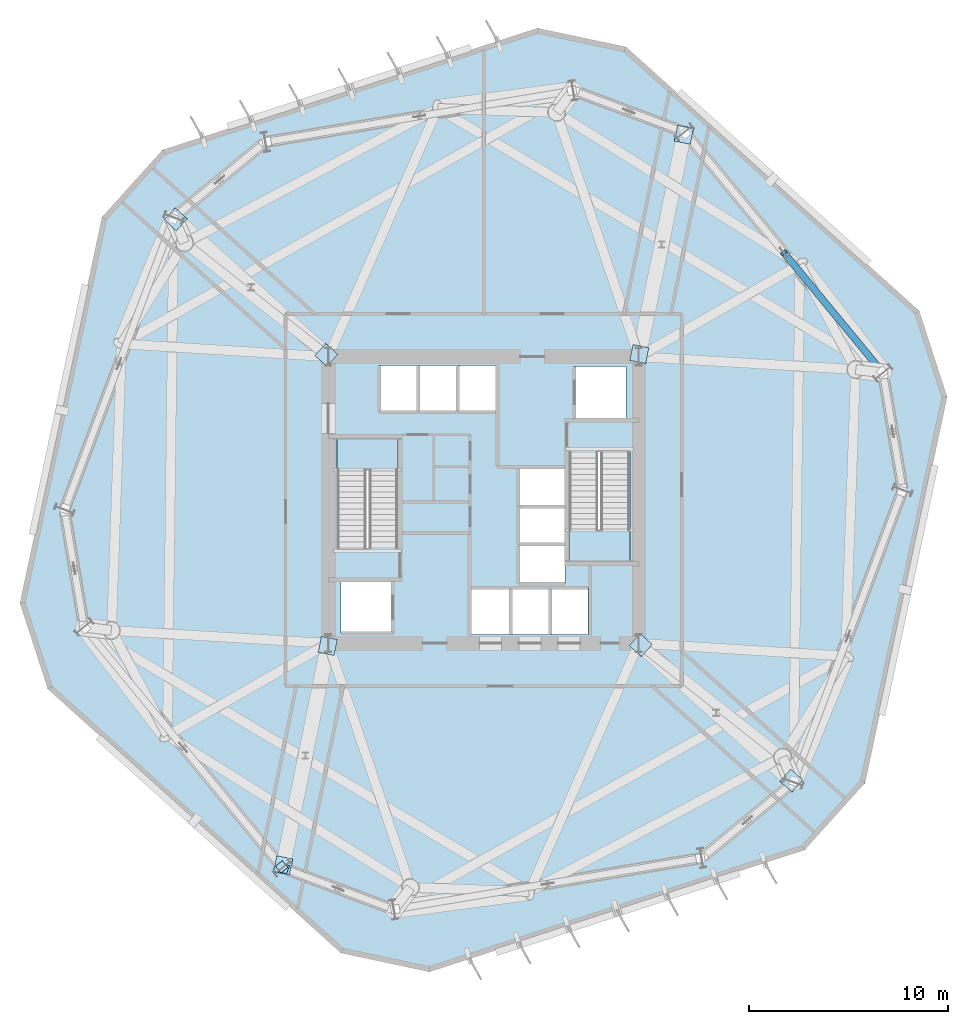
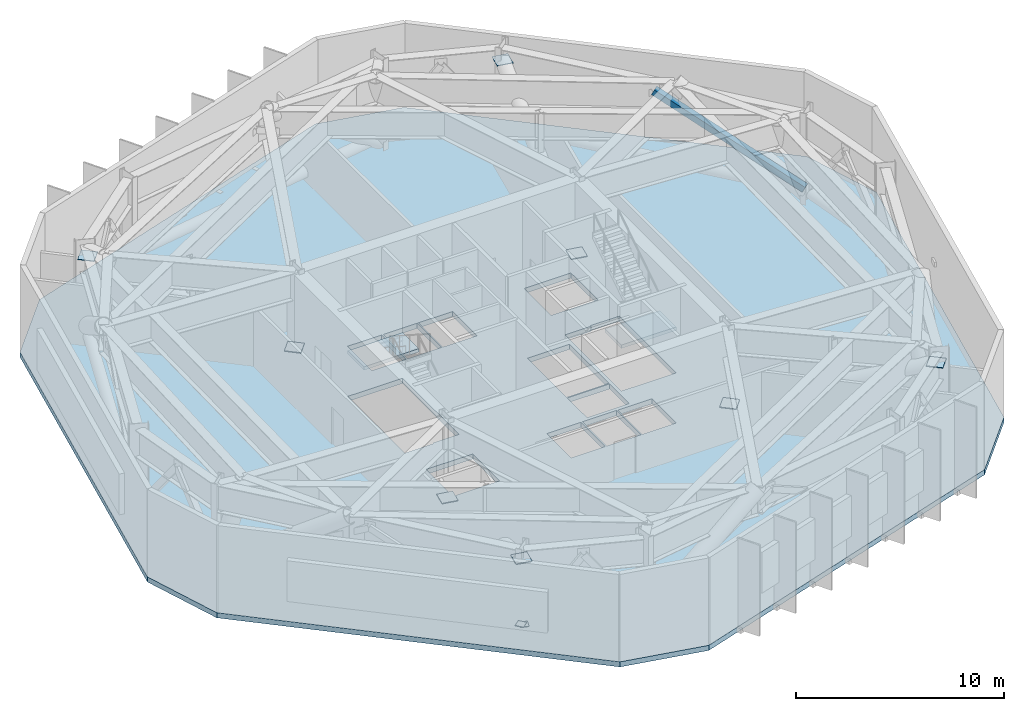
# One storey, part 3 of 12: 10 plates, 3 slabs, 1 member, 2 elements without a shape of their own.
"""IFC4 building model written with IfcOpenShell, lengths in metres."""

from ifc_helpers import new_model, si_unit, direction, frame, origin, origin_2d, place, context, subcontext, project, spatial, polyline, rectangle, hollow_rectangle, outline, extrude, material, layer, layer_set, material_profile, profile_set, type_object, element, aggregate, save


model = new_model("IFC4")

# Units and contexts
model_context = context("Model", 3, precision=1e-05, world=origin(), true_north=direction((0.0, 1.0)))
body_context = subcontext(model_context, "Body", "Model", "MODEL_VIEW")
ifc_project = project(units=[si_unit("LENGTHUNIT", "METRE"), si_unit("AREAUNIT", "SQUARE_METRE"), si_unit("VOLUMEUNIT", "CUBIC_METRE"), si_unit("PLANEANGLEUNIT", "RADIAN"), si_unit("MASSUNIT", "GRAM", prefix="KILO")], contexts=[model_context])

# Site, building, storey
site_placement = place(None, origin())
site = spatial("IfcSite", under=ifc_project, at=site_placement, CompositionType="ELEMENT")
building_placement = place(site_placement, origin())
building = spatial("IfcBuilding", under=site, at=building_placement, Name="Kranzbogen Civic Tower", CompositionType="ELEMENT")
storey_placement = place(building_placement, frame((0.0, 0.0, 92.0)))
storey = spatial("IfcBuildingStorey", under=building, at=storey_placement, Name="L22", CompositionType="ELEMENT", Elevation=92.0)

# Member
ifc_material_1 = material(Name="Steel S355", Category="steel")
ifc_material_profile = material_profile(ifc_material_1, hollow_rectangle(XDim=0.35009765625, YDim=0.35009765625, WallThickness=0.02001953125, at=origin_2d()), Name="SHS 350x350x20")
ifc_profile_set = profile_set([ifc_material_profile], Name="Steel S355")
member_type = type_object("IfcMemberType", Name="Zone 1 Belt Truss Diagonal SHS 350x350x20", PredefinedType="BRACE", material=ifc_profile_set)
member_placement = place(storey_placement, frame((45.02099609375, 31.447998046875, 0.64990234375), z_axis=(-0.57013298372, 0.691530871489, 0.443546428971), x_axis=(-0.771581360267, -0.636130650486, 0.0)))
element("IfcMember", 1, at=member_placement, inside=storey, type_object=member_type, Name="DG-350: L22 belt truss diagonal 08A", PredefinedType="BRACE", context=body_context, shape_type="SweptSolid", body=[
    extrude(hollow_rectangle(XDim=0.35009765625, YDim=0.35009765625, WallThickness=0.02001953125, at=origin_2d()), origin(), (0.0, 0.0, 1.0), 8.65771484375),
])

# Slab
ifc_material_2 = material(Name="Concrete C40/50", Category="concrete")
ifc_layer_1 = layer(ifc_material_2, 0.300048828125, Name="Concrete C40/50")
ifc_layer_set_1 = layer_set([ifc_layer_1], Name="Concrete C40/50")
slab_type_1 = type_object("IfcSlabType", Name="Composite Transfer and Plant Floor Slab 300 mm", PredefinedType="FLOOR", material=ifc_layer_set_1)
slab_1_placement = place(storey_placement, frame((0.0, 0.0, -0.300048828125)))
element("IfcSlab", 2, at=slab_1_placement, inside=storey, type_object=slab_type_1, Name="L22 tower floor slab", PredefinedType="FLOOR", context=body_context, shape_type="SweptSolid", body=[
    extrude(outline(polyline([(46.89990234375, 34.48095703125), (32.139892578125, 47.77099609375), (27.739013671875, 48.70703125), (8.85009765625, 42.569091796875), (5.839111328125, 39.22509765625), (1.7099609375, 19.798095703125), (3.10009765625, 15.51904296875), (17.860107421875, 2.22900390625), (22.260986328125, 1.29296875), (41.14990234375, 7.430908203125), (44.160888671875, 10.77490234375), (48.2900390625, 30.201904296875), (46.89990234375, 34.48095703125)]), holes=[polyline([(26.300048828125, 20.60009765625), (26.300048828125, 18.25), (24.39990234375, 18.25), (24.39990234375, 20.60009765625), (26.300048828125, 20.60009765625)]), polyline([(28.27490234375, 18.25), (26.375, 18.25), (26.375, 20.60009765625), (28.27490234375, 20.60009765625), (28.27490234375, 18.25)]), polyline([(20.449951171875, 18.300048828125), (17.85009765625, 18.300048828125), (17.85009765625, 20.89990234375), (20.449951171875, 20.89990234375), (20.449951171875, 18.300048828125)]), polyline([(20.699951171875, 22.659912109375), (19.25, 22.659912109375), (19.25, 22.60009765625), (17.64990234375, 22.60009765625), (17.64990234375, 28.10009765625), (20.699951171875, 28.10009765625), (20.699951171875, 22.659912109375)]), polyline([(21.64990234375, 29.39990234375), (19.75, 29.39990234375), (19.75, 31.75), (21.64990234375, 31.75), (21.64990234375, 29.39990234375)]), polyline([(23.625, 29.39990234375), (21.72509765625, 29.39990234375), (21.72509765625, 31.75), (23.625, 31.75), (23.625, 29.39990234375)]), polyline([(25.60009765625, 31.75), (25.60009765625, 29.39990234375), (23.699951171875, 29.39990234375), (23.699951171875, 31.75), (25.60009765625, 31.75)]), polyline([(30.25, 18.25), (28.35009765625, 18.25), (28.35009765625, 20.60009765625), (30.25, 20.60009765625), (30.25, 18.25)]), polyline([(29.10009765625, 20.800048828125), (26.75, 20.800048828125), (26.75, 22.699951171875), (29.10009765625, 22.699951171875), (29.10009765625, 20.800048828125)]), polyline([(26.75, 26.550048828125), (29.10009765625, 26.550048828125), (29.10009765625, 24.675048828125), (29.10009765625, 24.64990234375), (29.10009765625, 22.77490234375), (26.75, 22.77490234375), (26.75, 24.64990234375), (26.75, 24.675048828125), (26.75, 26.550048828125)]), polyline([(30.75, 27.340087890625), (30.75, 27.39990234375), (32.35009765625, 27.39990234375), (32.35009765625, 21.89990234375), (29.300048828125, 21.89990234375), (29.300048828125, 27.340087890625), (30.75, 27.340087890625)]), polyline([(32.14990234375, 29.10009765625), (29.550048828125, 29.10009765625), (29.550048828125, 31.699951171875), (32.14990234375, 31.699951171875), (32.14990234375, 29.10009765625)])]), origin(), (0.0, 0.0, 1.0), 0.300048828125),
])

# Plates
ifc_layer_2 = layer(ifc_material_1, 0.02490234375, Name="Steel S355")
ifc_layer_set_2 = layer_set([ifc_layer_2], Name="Steel S355")
plate_type_1 = type_object("IfcPlateType", Name="Hollow Section Sealed End Cap Plate 440x440x25", PredefinedType="SHEET", material=ifc_layer_set_2)
for number, where, z_axis, x_axis, name in (
    (3, (14.85693359375, 6.569091796875, 0.631591796875), (0.0, 0.0, 1.0), (-0.636051285111, 0.771646786236, 0.0), "DG-350: L22 belt truss diagonal 02B end cap 1"),
    (4, (14.968994140625, 6.490966796875, 0.62744140625), (0.0, 0.0, 1.0), (0.936641624323, -0.350289119994, 0.0), "DG-350: L22 belt truss diagonal 03A end cap 1"),
):
    element("IfcPlate", number, at=place(storey_placement, frame(where, z_axis=z_axis, x_axis=x_axis)), inside=storey, type_object=plate_type_1, Name=name, PredefinedType="SHEET", context=body_context, shape_type="SweptSolid", body=[
        extrude(rectangle(XDim=0.43994140625, YDim=0.43994140625, at=origin_2d()), origin(), (0.0, 0.0, 1.0), 0.02490234375),
    ])
ifc_material_3 = material(Name="Steel S460", Category="steel")
ifc_layer_3 = layer(ifc_material_3, 0.034912109375, Name="Steel S460")
ifc_layer_set_3 = layer_set([ifc_layer_3], Name="Steel S460")
plate_type_2 = type_object("IfcPlateType", Name="Portal Arch Sealed End Cap Plate 1120x1120x35", PredefinedType="SHEET", material=ifc_layer_set_3)
for number, where, z_axis, x_axis, name in (
    (5, (17.173095703125, 17.6689453125, 0.5263671875), (0.0, 0.0, 1.0), (-0.19962447127, -0.979872476637, 0.0), "OUT-1: L22 radial outrigger strut 1 end cap 1"),
    (6, (14.927978515625, 6.64697265625, 4.4287109375), (0.0, 0.0, 1.0), (-0.19962447127, -0.979872476637, 0.0), "OUT-1: L22 radial outrigger strut 1 end cap 2"),
    (7, (32.89990234375, 17.7109375, 0.5263671875), (0.0, 0.0, 1.0), (0.743284951564, -0.668974947796, 0.0), "OUT-1: L22 radial outrigger strut 2 end cap 1"),
    (8, (40.467041015625, 10.89990234375, 4.4287109375), (0.0, 0.0, 1.0), (0.743284951564, -0.668974947796, 0.0), "OUT-1: L22 radial outrigger strut 2 end cap 2"),
    (9, (32.826904296875, 32.3310546875, 0.5263671875), (0.0, 0.0, 1.0), (0.19962447127, 0.979872476637, 0.0), "OUT-1: L22 radial outrigger strut 3 end cap 1"),
    (10, (35.072021484375, 43.35302734375, 4.4287109375), (0.0, 0.0, 1.0), (0.19962447127, 0.979872476637, 0.0), "OUT-1: L22 radial outrigger strut 3 end cap 2"),
    (11, (17.10009765625, 32.2890625, 0.5263671875), (0.0, 0.0, 1.0), (-0.743284951564, 0.668974947796, 0.0), "OUT-1: L22 radial outrigger strut 4 end cap 1"),
    (12, (9.532958984375, 39.10009765625, 4.4287109375), (0.0, 0.0, 1.0), (-0.743284951564, 0.668974947796, 0.0), "OUT-1: L22 radial outrigger strut 4 end cap 2"),
):
    element("IfcPlate", number, at=place(storey_placement, frame(where, z_axis=z_axis, x_axis=x_axis)), inside=storey, type_object=plate_type_2, Name=name, PredefinedType="SHEET", context=body_context, shape_type="SweptSolid", body=[
        extrude(rectangle(XDim=0.820068359375, YDim=0.820068359375, at=origin_2d()), origin(), (0.0, 0.0, 1.0), 0.034912109375),
    ])

# Stair, slab
ifc_material_4 = material(Name="Precast concrete C40/50", Category="concrete")
stair_type_1 = type_object("IfcStairType", Name="Tower Core Pressurized Dogleg Stair 1450", PredefinedType="HALF_TURN_STAIR", material=ifc_material_4)
stair_1_placement = place(storey_placement, origin())
stair_1 = element("IfcStair", 13, at=stair_1_placement, inside=storey, type_object=stair_type_1, Name="L22 Tower Core Pressurized Stair 1", PredefinedType="HALF_TURN_STAIR")
ifc_layer_4 = layer(ifc_material_4, 0.199951171875, Name="Precast concrete C40/50")
ifc_layer_set_4 = layer_set([ifc_layer_4], Name="Precast concrete C40/50")
slab_type_2 = type_object("IfcSlabType", Name="Precast Concrete Stair Landing Slab 200 mm", PredefinedType="LANDING", material=ifc_layer_set_4)
slab_2_placement = place(storey_placement, frame((0.0, 0.0, 2.5)))
slab_2 = element("IfcSlab", 14, at=slab_2_placement, type_object=slab_type_2, Name="ST-T1 landing 1", PredefinedType="LANDING", context=body_context, shape_type="SweptSolid", body=[
    extrude(outline(polyline([(20.699951171875, 26.52001953125), (20.699951171875, 28.10009765625), (17.64990234375, 28.10009765625), (17.64990234375, 26.52001953125), (20.699951171875, 26.52001953125)])), origin(), (0.0, 0.0, 1.0), 0.199951171875),
])
aggregate(stair_1, [slab_2])

stair_type_2 = type_object("IfcStairType", Name="Tower Core Secondary Dogleg Stair 1450", PredefinedType="HALF_TURN_STAIR", material=ifc_material_4)
stair_2_placement = place(storey_placement, origin())
stair_2 = element("IfcStair", 15, at=stair_2_placement, inside=storey, type_object=stair_type_2, Name="L22 Tower Core Pressurized Stair 2", PredefinedType="HALF_TURN_STAIR")
slab_3_placement = place(storey_placement, frame((0.0, 0.0, 2.5)))
slab_3 = element("IfcSlab", 16, at=slab_3_placement, type_object=slab_type_2, Name="ST-T2 landing 1", PredefinedType="LANDING", context=body_context, shape_type="SweptSolid", body=[
    extrude(outline(polyline([(29.300048828125, 23.47998046875), (29.300048828125, 21.89990234375), (32.35009765625, 21.89990234375), (32.35009765625, 23.47998046875), (29.300048828125, 23.47998046875)])), origin(), (0.0, 0.0, 1.0), 0.199951171875),
])
aggregate(stair_2, [slab_3])

save(model, "model.ifc")
